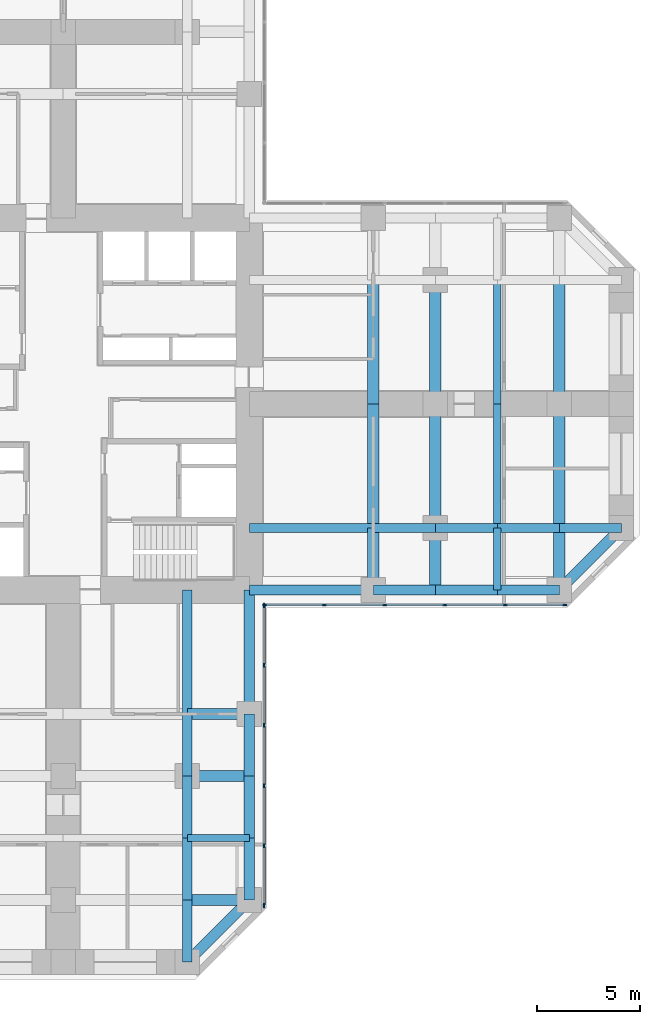
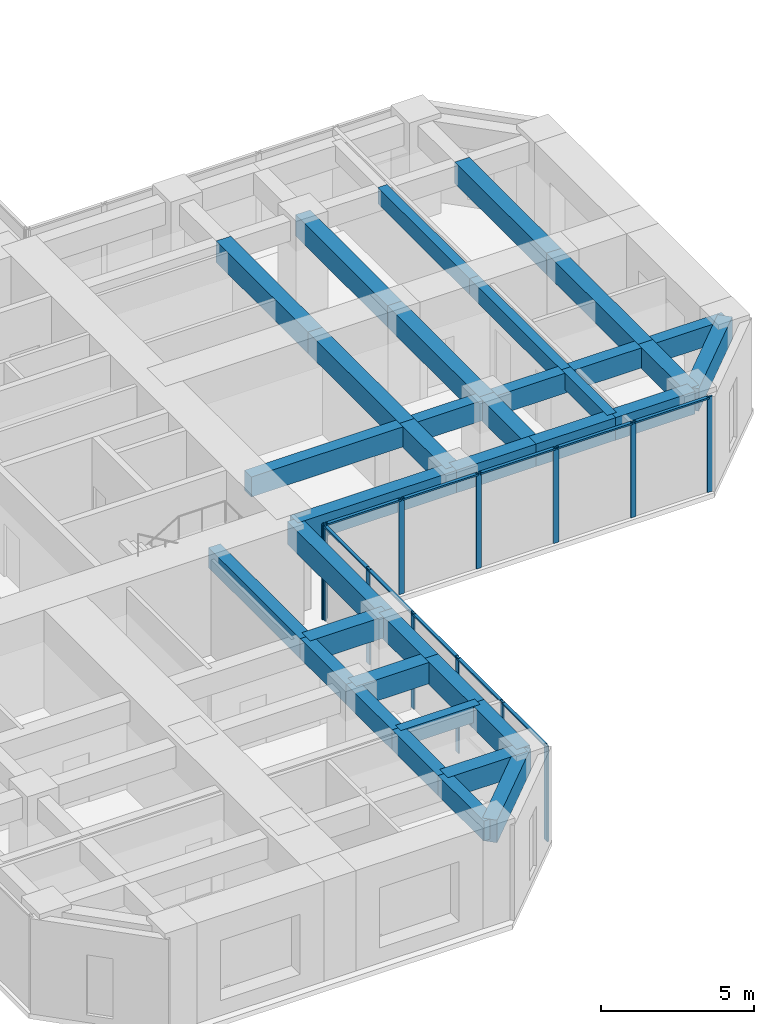
# One storey, part 4 of 13: 36 beams, 22 members, 2 elements without a shape of their own.
"""IFC4 building model written with IfcOpenShell, lengths in metres."""

from ifc_helpers import new_model, si_unit, direction, frame, origin, origin_2d, place, context, subcontext, project, spatial, rectangle, extrude, material, material_profile, profile_set, type_object, element, aggregate, save


model = new_model("IFC4")

# Units and contexts
model_context = context("Model", 3, precision=1e-05, world=origin(), true_north=direction((0.0, 1.0)))
body_context = subcontext(model_context, "Body", "Model", "MODEL_VIEW")
ifc_project = project(units=[si_unit("LENGTHUNIT", "METRE"), si_unit("AREAUNIT", "SQUARE_METRE"), si_unit("VOLUMEUNIT", "CUBIC_METRE"), si_unit("PLANEANGLEUNIT", "RADIAN"), si_unit("MASSUNIT", "GRAM", prefix="KILO")], contexts=[model_context])

# Site, building, storey
site_placement = place(None, origin())
site = spatial("IfcSite", under=ifc_project, at=site_placement, CompositionType="ELEMENT")
building_placement = place(site_placement, origin())
building = spatial("IfcBuilding", under=site, at=building_placement, Name="Torre Cruceta", CompositionType="ELEMENT")
storey_placement = place(building_placement, frame((0.0, 0.0, 55.5)))
storey = spatial("IfcBuildingStorey", under=building, at=storey_placement, Name="L13", CompositionType="ELEMENT", Elevation=55.5)

# Beams
ifc_material_1 = material(Name="Concrete G60 (fck 60 MPa)", Category="concrete")
ifc_material_profile_1 = material_profile(ifc_material_1, rectangle(XDim=0.449951171875, YDim=0.800048828125, at=origin_2d()), Name="RC 450X800")
ifc_profile_set_1 = profile_set([ifc_material_profile_1], Name="Concrete G60 (fck 60 MPa)")
beam_type_1 = type_object("IfcBeamType", Name="COLUMN LINE BEAM RC 450X800", PredefinedType="BEAM", material=ifc_profile_set_1)
beam_1_placement = place(storey_placement, frame((9.0, -6.0, 3.39990234375), z_axis=(1.0, 0.0, 0.0), x_axis=(0.0, 1.0, 0.0)))
element("IfcBeam", 1, at=beam_1_placement, inside=storey, type_object=beam_type_1, Name="LB1 L13 E col- 1", PredefinedType="BEAM", context=body_context, shape_type="SweptSolid", body=[
    extrude(rectangle(XDim=0.449951171875, YDim=0.800048828125, at=origin_2d()), origin(), (0.0, 0.0, 1.0), 6.0),
])
for number, where, z_axis, x_axis, name in (
    (2, (15.0, -6.0, 3.39990234375), (1.0, 0.0, 0.0), (0.0, 1.0, 0.0), "LB1 L13 E col- 2"),
    (3, (18.0, -6.0, 3.39990234375), (1.0, 0.0, 0.0), (0.0, 1.0, 0.0), "LB1 L13 E col- 3"),
    (4, (21.0, -6.0, 3.39990234375), (1.0, 0.0, 0.0), (0.0, 1.0, 0.0), "LB1 L13 E col- 4"),
    (5, (24.0, -6.0, 3.39990234375), (1.0, 0.0, 0.0), (0.0, 1.0, 0.0), "LB1 L13 E col- 5"),
):
    element("IfcBeam", number, at=place(storey_placement, frame(where, z_axis=z_axis, x_axis=x_axis)), inside=storey, type_object=beam_type_1, Name=name, PredefinedType="BEAM", context=body_context, shape_type="SweptSolid", body=[
        extrude(rectangle(XDim=0.449951171875, YDim=0.800048828125, at=origin_2d()), origin(), (0.0, 0.0, 1.0), 3.0),
    ])
beam_2_placement = place(storey_placement, frame((6.0, -9.0, 3.39990234375), z_axis=(0.0, -1.0, 0.0), x_axis=(1.0, 0.0, 0.0)))
element("IfcBeam", 6, at=beam_2_placement, inside=storey, type_object=beam_type_1, Name="LB1 L13 S col+ 1", PredefinedType="BEAM", context=body_context, shape_type="SweptSolid", body=[
    extrude(rectangle(XDim=0.449951171875, YDim=0.800048828125, at=origin_2d()), origin(), (0.0, 0.0, 1.0), 6.0),
])
for number, where, z_axis, x_axis, name in (
    (7, (6.0, -15.0, 3.39990234375), (0.0, -1.0, 0.0), (1.0, 0.0, 0.0), "LB1 L13 S col+ 2"),
    (8, (6.0, -18.0, 3.39990234375), (0.0, -1.0, 0.0), (1.0, 0.0, 0.0), "LB1 L13 S col+ 3"),
    (9, (6.0, -21.0, 3.39990234375), (0.0, -1.0, 0.0), (1.0, 0.0, 0.0), "LB1 L13 S col+ 4"),
    (10, (6.0, -24.0, 3.39990234375), (0.0, -1.0, 0.0), (1.0, 0.0, 0.0), "LB1 L13 S col+ 5"),
):
    element("IfcBeam", number, at=place(storey_placement, frame(where, z_axis=z_axis, x_axis=x_axis)), inside=storey, type_object=beam_type_1, Name=name, PredefinedType="BEAM", context=body_context, shape_type="SweptSolid", body=[
        extrude(rectangle(XDim=0.449951171875, YDim=0.800048828125, at=origin_2d()), origin(), (0.0, 0.0, 1.0), 3.0),
    ])
ifc_material_2 = material(Name="Concrete G60 (fck 60 MPa)", Category="concrete")
ifc_material_profile_2 = material_profile(ifc_material_2, rectangle(XDim=0.550048828125, YDim=0.85009765625, at=origin_2d()), Name="RC 550X850")
ifc_profile_set_2 = profile_set([ifc_material_profile_2], Name="Concrete G60 (fck 60 MPa)")
beam_type_2 = type_object("IfcBeamType", Name="CROSS BEAM RC 550X850", PredefinedType="BEAM", material=ifc_profile_set_2)
beam_3_placement = place(storey_placement, frame((15.0, -9.0, 3.375), z_axis=(0.0, 1.0, 0.0), x_axis=(-1.0, 0.0, 0.0)))
element("IfcBeam", 11, at=beam_3_placement, inside=storey, type_object=beam_type_2, Name="GB4 L13 E cross15 1", PredefinedType="BEAM", context=body_context, shape_type="SweptSolid", body=[
    extrude(rectangle(XDim=0.550048828125, YDim=0.85009765625, at=origin_2d()), origin(), (0.0, 0.0, 1.0), 3.0),
])
for number, where, z_axis, x_axis, name in (
    (12, (15.0, -6.0, 3.375), (0.0, 1.0, 0.0), (-1.0, 0.0, 0.0), "GB4 L13 E cross15 2"),
    (13, (15.0, 0.0, 3.375), (0.0, 1.0, 0.0), (-1.0, 0.0, 0.0), "GB4 L13 E cross15 3"),
):
    element("IfcBeam", number, at=place(storey_placement, frame(where, z_axis=z_axis, x_axis=x_axis)), inside=storey, type_object=beam_type_2, Name=name, PredefinedType="BEAM", context=body_context, shape_type="SweptSolid", body=[
        extrude(rectangle(XDim=0.550048828125, YDim=0.85009765625, at=origin_2d()), origin(), (0.0, 0.0, 1.0), 6.0),
    ])
beam_4_placement = place(storey_placement, frame((18.0, -9.0, 3.375), z_axis=(0.0, 1.0, 0.0), x_axis=(-1.0, 0.0, 0.0)))
element("IfcBeam", 14, at=beam_4_placement, inside=storey, type_object=beam_type_2, Name="GB4 L13 E cross18 1", PredefinedType="BEAM", context=body_context, shape_type="SweptSolid", body=[
    extrude(rectangle(XDim=0.550048828125, YDim=0.85009765625, at=origin_2d()), origin(), (0.0, 0.0, 1.0), 3.0),
])
for number, where, z_axis, x_axis, name in (
    (15, (18.0, -6.0, 3.375), (0.0, 1.0, 0.0), (-1.0, 0.0, 0.0), "GB4 L13 E cross18 2"),
    (16, (18.0, 0.0, 3.375), (0.0, 1.0, 0.0), (-1.0, 0.0, 0.0), "GB4 L13 E cross18 3"),
):
    element("IfcBeam", number, at=place(storey_placement, frame(where, z_axis=z_axis, x_axis=x_axis)), inside=storey, type_object=beam_type_2, Name=name, PredefinedType="BEAM", context=body_context, shape_type="SweptSolid", body=[
        extrude(rectangle(XDim=0.550048828125, YDim=0.85009765625, at=origin_2d()), origin(), (0.0, 0.0, 1.0), 6.0),
    ])
beam_5_placement = place(storey_placement, frame((24.0, -9.0, 3.375), z_axis=(0.0, 1.0, 0.0), x_axis=(-1.0, 0.0, 0.0)))
element("IfcBeam", 17, at=beam_5_placement, inside=storey, type_object=beam_type_2, Name="GB4 L13 E cross24 1", PredefinedType="BEAM", context=body_context, shape_type="SweptSolid", body=[
    extrude(rectangle(XDim=0.550048828125, YDim=0.85009765625, at=origin_2d()), origin(), (0.0, 0.0, 1.0), 3.0),
])
for number, where, z_axis, x_axis, name in (
    (18, (24.0, -6.0, 3.375), (0.0, 1.0, 0.0), (-1.0, 0.0, 0.0), "GB4 L13 E cross24 2"),
    (19, (24.0, 0.0, 3.375), (0.0, 1.0, 0.0), (-1.0, 0.0, 0.0), "GB4 L13 E cross24 3"),
):
    element("IfcBeam", number, at=place(storey_placement, frame(where, z_axis=z_axis, x_axis=x_axis)), inside=storey, type_object=beam_type_2, Name=name, PredefinedType="BEAM", context=body_context, shape_type="SweptSolid", body=[
        extrude(rectangle(XDim=0.550048828125, YDim=0.85009765625, at=origin_2d()), origin(), (0.0, 0.0, 1.0), 6.0),
    ])
for number, where, z_axis, x_axis, name in (
    (20, (6.0, -15.0, 3.375), (1.0, 0.0, 0.0), (0.0, 1.0, 0.0), "GB4 L13 S cross15 4"),
    (21, (6.0, -18.0, 3.375), (1.0, 0.0, 0.0), (0.0, 1.0, 0.0), "GB4 L13 S cross18 4"),
    (22, (6.0, -24.0, 3.375), (1.0, 0.0, 0.0), (0.0, 1.0, 0.0), "GB4 L13 S cross24 4"),
):
    element("IfcBeam", number, at=place(storey_placement, frame(where, z_axis=z_axis, x_axis=x_axis)), inside=storey, type_object=beam_type_2, Name=name, PredefinedType="BEAM", context=body_context, shape_type="SweptSolid", body=[
        extrude(rectangle(XDim=0.550048828125, YDim=0.85009765625, at=origin_2d()), origin(), (0.0, 0.0, 1.0), 3.0),
    ])

# Curtain wall, members
ifc_material_3 = material(Name="Aluminium unitised curtain wall", Category="aluminium")
curtain_wall_type = type_object("IfcCurtainWallType", Name="CURTAIN WALL CW-A OFFICE LOW RISE", PredefinedType="USERDEFINED", material=ifc_material_3)
curtain_wall_1_placement = place(storey_placement, origin())
curtain_wall_1 = element("IfcCurtainWall", 23, at=curtain_wall_1_placement, inside=storey, type_object=curtain_wall_type, Name="CW-A L13 E side 00", ObjectType="UNITISED", PredefinedType="USERDEFINED")
ifc_material_4 = material(Name="Aluminium mullion", Category="aluminium")
ifc_material_profile_3 = material_profile(ifc_material_4, rectangle(XDim=0.06494140625, YDim=0.199951171875, at=origin_2d()), Name="AL 65X200")
ifc_profile_set_3 = profile_set([ifc_material_profile_3], Name="Aluminium mullion")
member_type_1 = type_object("IfcMemberType", Name="CW-A MULLION 65X200", PredefinedType="MULLION", material=ifc_profile_set_3)
member_1_placement = place(storey_placement, frame((9.75244140625, -9.719970703125, 0.0), z_axis=(0.0, 0.0, 1.0), x_axis=(0.0, 1.0, 0.0)))
member_1 = element("IfcMember", 24, at=member_1_placement, type_object=member_type_1, Name="CW-A mullion 1", PredefinedType="MULLION", context=body_context, shape_type="SweptSolid", body=[
    extrude(rectangle(XDim=0.06494140625, YDim=0.199951171875, at=origin_2d()), origin(), (0.0, 0.0, 1.0), 3.800048828125),
])
member_2_placement = place(storey_placement, frame((12.6357421875, -9.719970703125, 0.0), z_axis=(0.0, 0.0, 1.0), x_axis=(0.0, 1.0, 0.0)))
member_2 = element("IfcMember", 25, at=member_2_placement, type_object=member_type_1, Name="CW-A mullion 2", PredefinedType="MULLION", context=body_context, shape_type="SweptSolid", body=[
    extrude(rectangle(XDim=0.06494140625, YDim=0.199951171875, at=origin_2d()), origin(), (0.0, 0.0, 1.0), 3.800048828125),
])
member_3_placement = place(storey_placement, frame((15.55126953125, -9.719970703125, 0.0), z_axis=(0.0, 0.0, 1.0), x_axis=(0.0, 1.0, 0.0)))
member_3 = element("IfcMember", 26, at=member_3_placement, type_object=member_type_1, Name="CW-A mullion 3", PredefinedType="MULLION", context=body_context, shape_type="SweptSolid", body=[
    extrude(rectangle(XDim=0.06494140625, YDim=0.199951171875, at=origin_2d()), origin(), (0.0, 0.0, 1.0), 3.800048828125),
])
member_4_placement = place(storey_placement, frame((18.467041015625, -9.719970703125, 0.0), z_axis=(0.0, 0.0, 1.0), x_axis=(0.0, 1.0, 0.0)))
member_4 = element("IfcMember", 27, at=member_4_placement, type_object=member_type_1, Name="CW-A mullion 4", PredefinedType="MULLION", context=body_context, shape_type="SweptSolid", body=[
    extrude(rectangle(XDim=0.06494140625, YDim=0.199951171875, at=origin_2d()), origin(), (0.0, 0.0, 1.0), 3.800048828125),
])
member_5_placement = place(storey_placement, frame((21.382568359375, -9.719970703125, 0.0), z_axis=(0.0, 0.0, 1.0), x_axis=(0.0, 1.0, 0.0)))
member_5 = element("IfcMember", 28, at=member_5_placement, type_object=member_type_1, Name="CW-A mullion 5", PredefinedType="MULLION", context=body_context, shape_type="SweptSolid", body=[
    extrude(rectangle(XDim=0.06494140625, YDim=0.199951171875, at=origin_2d()), origin(), (0.0, 0.0, 1.0), 3.800048828125),
])
member_6_placement = place(storey_placement, frame((24.265625, -9.719970703125, 0.0), z_axis=(0.0, 0.0, 1.0), x_axis=(0.0, 1.0, 0.0)))
member_6 = element("IfcMember", 29, at=member_6_placement, type_object=member_type_1, Name="CW-A mullion 6", PredefinedType="MULLION", context=body_context, shape_type="SweptSolid", body=[
    extrude(rectangle(XDim=0.06494140625, YDim=0.199951171875, at=origin_2d()), origin(), (0.0, 0.0, 1.0), 3.800048828125),
])

curtain_wall_2_placement = place(storey_placement, origin())
curtain_wall_2 = element("IfcCurtainWall", 30, at=curtain_wall_2_placement, inside=storey, type_object=curtain_wall_type, Name="CW-A L13 S side 19", ObjectType="UNITISED", PredefinedType="USERDEFINED")
member_7_placement = place(storey_placement, frame((9.719970703125, -24.265625, 0.0), z_axis=(0.0, 0.0, 1.0), x_axis=(-1.0, 0.0, 0.0)))
member_7 = element("IfcMember", 31, at=member_7_placement, type_object=member_type_1, Name="CW-A mullion 1", PredefinedType="MULLION", context=body_context, shape_type="SweptSolid", body=[
    extrude(rectangle(XDim=0.06494140625, YDim=0.199951171875, at=origin_2d()), origin(), (0.0, 0.0, 1.0), 3.800048828125),
])
member_8_placement = place(storey_placement, frame((9.719970703125, -21.382568359375, 0.0), z_axis=(0.0, 0.0, 1.0), x_axis=(-1.0, 0.0, 0.0)))
member_8 = element("IfcMember", 32, at=member_8_placement, type_object=member_type_1, Name="CW-A mullion 2", PredefinedType="MULLION", context=body_context, shape_type="SweptSolid", body=[
    extrude(rectangle(XDim=0.06494140625, YDim=0.199951171875, at=origin_2d()), origin(), (0.0, 0.0, 1.0), 3.800048828125),
])
member_9_placement = place(storey_placement, frame((9.719970703125, -18.467041015625, 0.0), z_axis=(0.0, 0.0, 1.0), x_axis=(-1.0, 0.0, 0.0)))
member_9 = element("IfcMember", 33, at=member_9_placement, type_object=member_type_1, Name="CW-A mullion 3", PredefinedType="MULLION", context=body_context, shape_type="SweptSolid", body=[
    extrude(rectangle(XDim=0.06494140625, YDim=0.199951171875, at=origin_2d()), origin(), (0.0, 0.0, 1.0), 3.800048828125),
])
member_10_placement = place(storey_placement, frame((9.719970703125, -15.55126953125, 0.0), z_axis=(0.0, 0.0, 1.0), x_axis=(-1.0, 0.0, 0.0)))
member_10 = element("IfcMember", 34, at=member_10_placement, type_object=member_type_1, Name="CW-A mullion 4", PredefinedType="MULLION", context=body_context, shape_type="SweptSolid", body=[
    extrude(rectangle(XDim=0.06494140625, YDim=0.199951171875, at=origin_2d()), origin(), (0.0, 0.0, 1.0), 3.800048828125),
])
member_11_placement = place(storey_placement, frame((9.719970703125, -12.6357421875, 0.0), z_axis=(0.0, 0.0, 1.0), x_axis=(-1.0, 0.0, 0.0)))
member_11 = element("IfcMember", 35, at=member_11_placement, type_object=member_type_1, Name="CW-A mullion 5", PredefinedType="MULLION", context=body_context, shape_type="SweptSolid", body=[
    extrude(rectangle(XDim=0.06494140625, YDim=0.199951171875, at=origin_2d()), origin(), (0.0, 0.0, 1.0), 3.800048828125),
])
member_12_placement = place(storey_placement, frame((9.719970703125, -9.75244140625, 0.0), z_axis=(0.0, 0.0, 1.0), x_axis=(-1.0, 0.0, 0.0)))
member_12 = element("IfcMember", 36, at=member_12_placement, type_object=member_type_1, Name="CW-A mullion 6", PredefinedType="MULLION", context=body_context, shape_type="SweptSolid", body=[
    extrude(rectangle(XDim=0.06494140625, YDim=0.199951171875, at=origin_2d()), origin(), (0.0, 0.0, 1.0), 3.800048828125),
])

# Member
ifc_material_5 = material(Name="Aluminium transom", Category="aluminium")
ifc_material_profile_4 = material_profile(ifc_material_5, rectangle(XDim=0.1201171875, YDim=0.06494140625, at=origin_2d()), Name="AL 120X65")
ifc_profile_set_4 = profile_set([ifc_material_profile_4], Name="Aluminium transom")
member_type_2 = type_object("IfcMemberType", Name="CW-A TRANSOM 65X120", PredefinedType="USERDEFINED", material=ifc_profile_set_4)
member_13_placement = place(storey_placement, frame((9.784912109375, -9.719970703125, 3.767578125), z_axis=(1.0, 0.0, 0.0), x_axis=(0.0, 1.0, 0.0)))
member_13 = element("IfcMember", 37, at=member_13_placement, type_object=member_type_2, Name="CW-A transom 1", ObjectType="TRANSOM", PredefinedType="USERDEFINED", context=body_context, shape_type="SweptSolid", body=[
    extrude(rectangle(XDim=0.1201171875, YDim=0.06494140625, at=origin_2d()), origin(), (0.0, 0.0, 1.0), 2.818115234375),
])

member_14_placement = place(storey_placement, frame((12.668212890625, -9.719970703125, 3.767578125), z_axis=(1.0, 0.0, 0.0), x_axis=(0.0, 1.0, 0.0)))
member_14 = element("IfcMember", 38, at=member_14_placement, type_object=member_type_2, Name="CW-A transom 2", ObjectType="TRANSOM", PredefinedType="USERDEFINED", context=body_context, shape_type="SweptSolid", body=[
    extrude(rectangle(XDim=0.1201171875, YDim=0.06494140625, at=origin_2d()), origin(), (0.0, 0.0, 1.0), 2.8505859375),
])

member_15_placement = place(storey_placement, frame((15.583740234375, -9.719970703125, 3.767578125), z_axis=(1.0, 0.0, 0.0), x_axis=(0.0, 1.0, 0.0)))
member_15 = element("IfcMember", 39, at=member_15_placement, type_object=member_type_2, Name="CW-A transom 3", ObjectType="TRANSOM", PredefinedType="USERDEFINED", context=body_context, shape_type="SweptSolid", body=[
    extrude(rectangle(XDim=0.1201171875, YDim=0.06494140625, at=origin_2d()), origin(), (0.0, 0.0, 1.0), 2.8505859375),
])

member_16_placement = place(storey_placement, frame((18.49951171875, -9.719970703125, 3.767578125), z_axis=(1.0, 0.0, 0.0), x_axis=(0.0, 1.0, 0.0)))
member_16 = element("IfcMember", 40, at=member_16_placement, type_object=member_type_2, Name="CW-A transom 4", ObjectType="TRANSOM", PredefinedType="USERDEFINED", context=body_context, shape_type="SweptSolid", body=[
    extrude(rectangle(XDim=0.1201171875, YDim=0.06494140625, at=origin_2d()), origin(), (0.0, 0.0, 1.0), 2.8505859375),
])

member_17_placement = place(storey_placement, frame((21.4150390625, -9.719970703125, 3.767578125), z_axis=(1.0, 0.0, 0.0), x_axis=(0.0, 1.0, 0.0)))
member_17 = element("IfcMember", 41, at=member_17_placement, type_object=member_type_2, Name="CW-A transom 5", ObjectType="TRANSOM", PredefinedType="USERDEFINED", context=body_context, shape_type="SweptSolid", body=[
    extrude(rectangle(XDim=0.1201171875, YDim=0.06494140625, at=origin_2d()), origin(), (0.0, 0.0, 1.0), 2.818115234375),
])

aggregate(curtain_wall_1, [member_1, member_2, member_3, member_4, member_5, member_6, member_13, member_14, member_15, member_16, member_17])

member_18_placement = place(storey_placement, frame((9.719970703125, -24.233154296875, 3.767578125), z_axis=(0.0, 1.0, 0.0), x_axis=(-1.0, 0.0, 0.0)))
member_18 = element("IfcMember", 42, at=member_18_placement, type_object=member_type_2, Name="CW-A transom 1", ObjectType="TRANSOM", PredefinedType="USERDEFINED", context=body_context, shape_type="SweptSolid", body=[
    extrude(rectangle(XDim=0.1201171875, YDim=0.06494140625, at=origin_2d()), origin(), (0.0, 0.0, 1.0), 2.818115234375),
])

member_19_placement = place(storey_placement, frame((9.719970703125, -21.35009765625, 3.767578125), z_axis=(0.0, 1.0, 0.0), x_axis=(-1.0, 0.0, 0.0)))
member_19 = element("IfcMember", 43, at=member_19_placement, type_object=member_type_2, Name="CW-A transom 2", ObjectType="TRANSOM", PredefinedType="USERDEFINED", context=body_context, shape_type="SweptSolid", body=[
    extrude(rectangle(XDim=0.1201171875, YDim=0.06494140625, at=origin_2d()), origin(), (0.0, 0.0, 1.0), 2.8505859375),
])

member_20_placement = place(storey_placement, frame((9.719970703125, -18.434326171875, 3.767578125), z_axis=(0.0, 1.0, 0.0), x_axis=(-1.0, 0.0, 0.0)))
member_20 = element("IfcMember", 44, at=member_20_placement, type_object=member_type_2, Name="CW-A transom 3", ObjectType="TRANSOM", PredefinedType="USERDEFINED", context=body_context, shape_type="SweptSolid", body=[
    extrude(rectangle(XDim=0.1201171875, YDim=0.06494140625, at=origin_2d()), origin(), (0.0, 0.0, 1.0), 2.8505859375),
])

member_21_placement = place(storey_placement, frame((9.719970703125, -15.518798828125, 3.767578125), z_axis=(0.0, 1.0, 0.0), x_axis=(-1.0, 0.0, 0.0)))
member_21 = element("IfcMember", 45, at=member_21_placement, type_object=member_type_2, Name="CW-A transom 4", ObjectType="TRANSOM", PredefinedType="USERDEFINED", context=body_context, shape_type="SweptSolid", body=[
    extrude(rectangle(XDim=0.1201171875, YDim=0.06494140625, at=origin_2d()), origin(), (0.0, 0.0, 1.0), 2.8505859375),
])

member_22_placement = place(storey_placement, frame((9.719970703125, -12.60302734375, 3.767578125), z_axis=(0.0, 1.0, 0.0), x_axis=(-1.0, 0.0, 0.0)))
member_22 = element("IfcMember", 46, at=member_22_placement, type_object=member_type_2, Name="CW-A transom 5", ObjectType="TRANSOM", PredefinedType="USERDEFINED", context=body_context, shape_type="SweptSolid", body=[
    extrude(rectangle(XDim=0.1201171875, YDim=0.06494140625, at=origin_2d()), origin(), (0.0, 0.0, 1.0), 2.818115234375),
])

aggregate(curtain_wall_2, [member_7, member_8, member_9, member_10, member_11, member_12, member_18, member_19, member_20, member_21, member_22])

# Beams
ifc_material_6 = material(Name="Concrete G60 (fck 60 MPa)", Category="concrete")
ifc_material_profile_5 = material_profile(ifc_material_6, rectangle(XDim=0.35009765625, YDim=0.64990234375, at=origin_2d()), Name="RC 350X650")
ifc_profile_set_5 = profile_set([ifc_material_profile_5], Name="Concrete G60 (fck 60 MPa)")
beam_type_3 = type_object("IfcBeamType", Name="SECONDARY BEAM RC 350X650", PredefinedType="JOIST", material=ifc_profile_set_5)
beam_6_placement = place(storey_placement, frame((21.0, -9.0, 3.47509765625), z_axis=(0.0, 1.0, 0.0), x_axis=(-1.0, 0.0, 0.0)))
element("IfcBeam", 47, at=beam_6_placement, inside=storey, type_object=beam_type_3, Name="JB3 L13 E sec21 1", PredefinedType="JOIST", context=body_context, shape_type="SweptSolid", body=[
    extrude(rectangle(XDim=0.35009765625, YDim=0.64990234375, at=origin_2d()), origin(), (0.0, 0.0, 1.0), 3.0),
])
for number, where, z_axis, x_axis, name in (
    (48, (21.0, -6.0, 3.47509765625), (0.0, 1.0, 0.0), (-1.0, 0.0, 0.0), "JB3 L13 E sec21 2"),
    (49, (21.0, 0.0, 3.47509765625), (0.0, 1.0, 0.0), (-1.0, 0.0, 0.0), "JB3 L13 E sec21 3"),
):
    element("IfcBeam", number, at=place(storey_placement, frame(where, z_axis=z_axis, x_axis=x_axis)), inside=storey, type_object=beam_type_3, Name=name, PredefinedType="JOIST", context=body_context, shape_type="SweptSolid", body=[
        extrude(rectangle(XDim=0.35009765625, YDim=0.64990234375, at=origin_2d()), origin(), (0.0, 0.0, 1.0), 6.0),
    ])
beam_7_placement = place(storey_placement, frame((6.0, -21.0, 3.47509765625), z_axis=(1.0, 0.0, 0.0), x_axis=(0.0, 1.0, 0.0)))
element("IfcBeam", 50, at=beam_7_placement, inside=storey, type_object=beam_type_3, Name="JB3 L13 S sec21 4", PredefinedType="JOIST", context=body_context, shape_type="SweptSolid", body=[
    extrude(rectangle(XDim=0.35009765625, YDim=0.64990234375, at=origin_2d()), origin(), (0.0, 0.0, 1.0), 3.0),
])
ifc_material_7 = material(Name="Concrete G60 (fck 60 MPa)", Category="concrete")
ifc_material_profile_6 = material_profile(ifc_material_7, rectangle(XDim=0.5, YDim=0.89990234375, at=origin_2d()), Name="RC 500X900")
ifc_profile_set_6 = profile_set([ifc_material_profile_6], Name="Concrete G60 (fck 60 MPa)")
beam_type_4 = type_object("IfcBeamType", Name="SPANDREL BEAM RC 500X900", PredefinedType="SPANDREL", material=ifc_profile_set_6)
beam_8_placement = place(storey_placement, frame((9.0, -9.0, 3.35009765625), z_axis=(1.0, 0.0, 0.0), x_axis=(0.0, 1.0, 0.0)))
element("IfcBeam", 51, at=beam_8_placement, inside=storey, type_object=beam_type_4, Name="SB4 L13 E side- 1", PredefinedType="SPANDREL", context=body_context, shape_type="SweptSolid", body=[
    extrude(rectangle(XDim=0.5, YDim=0.89990234375, at=origin_2d()), origin(), (0.0, 0.0, 1.0), 6.0),
])
for number, where, z_axis, x_axis, name in (
    (52, (15.0, -9.0, 3.35009765625), (1.0, 0.0, 0.0), (0.0, 1.0, 0.0), "SB4 L13 E side- 2"),
    (53, (18.0, -9.0, 3.35009765625), (1.0, 0.0, 0.0), (0.0, 1.0, 0.0), "SB4 L13 E side- 3"),
    (54, (21.0, -9.0, 3.35009765625), (1.0, 0.0, 0.0), (0.0, 1.0, 0.0), "SB4 L13 E side- 4"),
):
    element("IfcBeam", number, at=place(storey_placement, frame(where, z_axis=z_axis, x_axis=x_axis)), inside=storey, type_object=beam_type_4, Name=name, PredefinedType="SPANDREL", context=body_context, shape_type="SweptSolid", body=[
        extrude(rectangle(XDim=0.5, YDim=0.89990234375, at=origin_2d()), origin(), (0.0, 0.0, 1.0), 3.0),
    ])
beam_9_placement = place(storey_placement, frame((24.0, -9.0, 3.35009765625), z_axis=(0.707106781187, 0.707106781187, 0.0), x_axis=(-0.707106781187, 0.707106781187, 0.0)))
element("IfcBeam", 55, at=beam_9_placement, inside=storey, type_object=beam_type_4, Name="SB4 L13 E side- 5", PredefinedType="SPANDREL", context=body_context, shape_type="SweptSolid", body=[
    extrude(rectangle(XDim=0.5, YDim=0.89990234375, at=origin_2d()), origin(), (0.0, 0.0, 1.0), 4.24267578125),
])
beam_10_placement = place(storey_placement, frame((9.0, -9.0, 3.35009765625), z_axis=(0.0, -1.0, 0.0), x_axis=(1.0, 0.0, 0.0)))
element("IfcBeam", 56, at=beam_10_placement, inside=storey, type_object=beam_type_4, Name="SB4 L13 S side+ 1", PredefinedType="SPANDREL", context=body_context, shape_type="SweptSolid", body=[
    extrude(rectangle(XDim=0.5, YDim=0.89990234375, at=origin_2d()), origin(), (0.0, 0.0, 1.0), 6.0),
])
for number, where, z_axis, x_axis, name in (
    (57, (9.0, -15.0, 3.35009765625), (0.0, -1.0, 0.0), (1.0, 0.0, 0.0), "SB4 L13 S side+ 2"),
    (58, (9.0, -18.0, 3.35009765625), (0.0, -1.0, 0.0), (1.0, 0.0, 0.0), "SB4 L13 S side+ 3"),
    (59, (9.0, -21.0, 3.35009765625), (0.0, -1.0, 0.0), (1.0, 0.0, 0.0), "SB4 L13 S side+ 4"),
):
    element("IfcBeam", number, at=place(storey_placement, frame(where, z_axis=z_axis, x_axis=x_axis)), inside=storey, type_object=beam_type_4, Name=name, PredefinedType="SPANDREL", context=body_context, shape_type="SweptSolid", body=[
        extrude(rectangle(XDim=0.5, YDim=0.89990234375, at=origin_2d()), origin(), (0.0, 0.0, 1.0), 3.0),
    ])
beam_11_placement = place(storey_placement, frame((9.0, -24.0, 3.35009765625), z_axis=(-0.707106781187, -0.707106781187, 0.0), x_axis=(0.707106781187, -0.707106781187, 0.0)))
element("IfcBeam", 60, at=beam_11_placement, inside=storey, type_object=beam_type_4, Name="SB4 L13 S side+ 5", PredefinedType="SPANDREL", context=body_context, shape_type="SweptSolid", body=[
    extrude(rectangle(XDim=0.5, YDim=0.89990234375, at=origin_2d()), origin(), (0.0, 0.0, 1.0), 4.24267578125),
])

save(model, "model.ifc")
